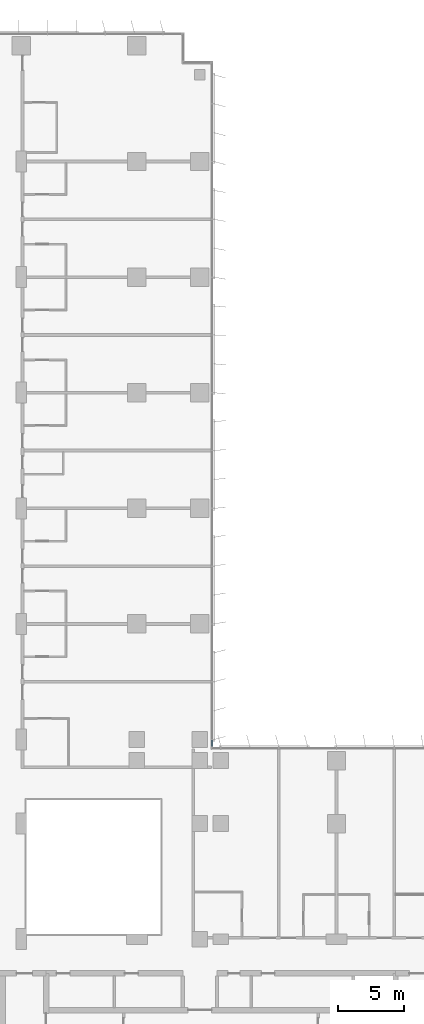
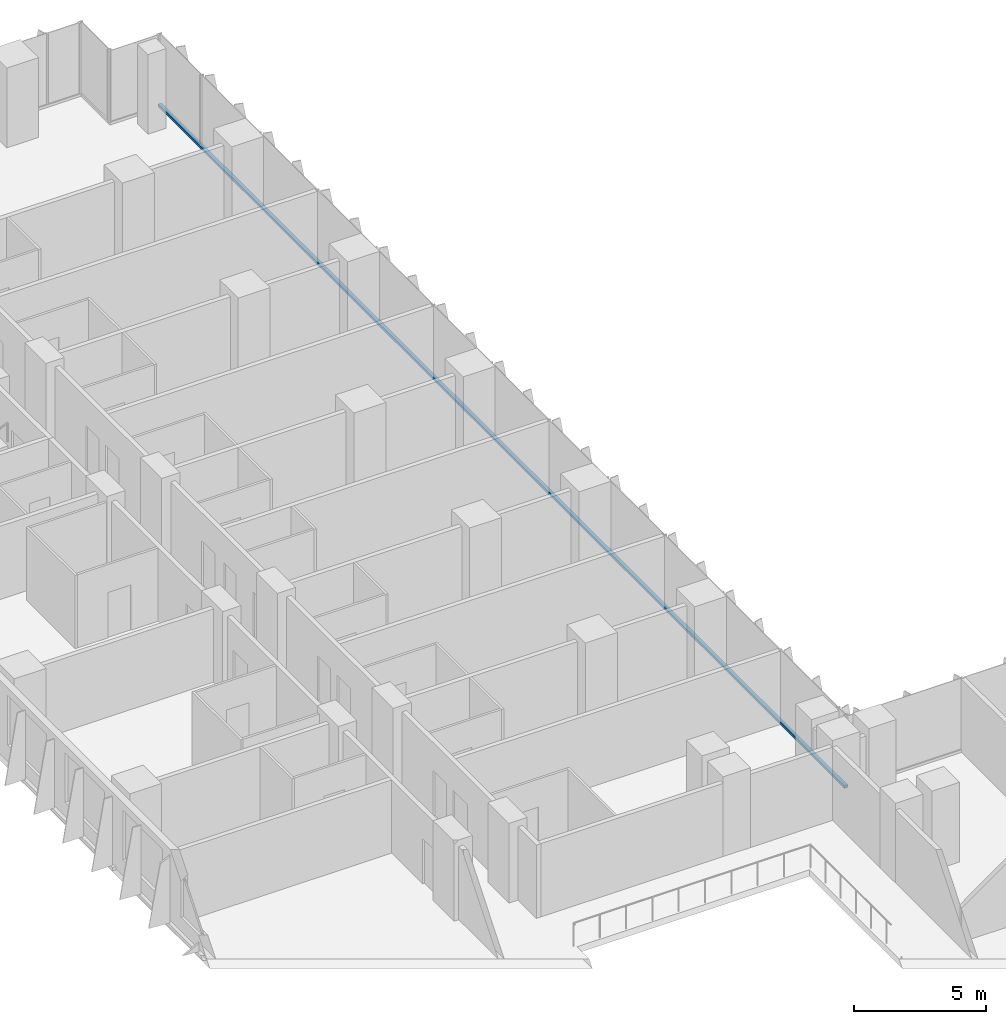
# One storey, part 6 of 24: 1 member, 1 element without a shape of its own.
"""IFC4 building model written with IfcOpenShell, lengths in metres."""

from ifc_helpers import new_model, si_unit, direction, frame, origin, origin_2d, place, context, subcontext, project, spatial, rectangle, extrude, material, material_profile, profile_set, type_object, element, aggregate, save


model = new_model("IFC4")

# Units and contexts
model_context = context("Model", 3, precision=1e-05, world=origin(), true_north=direction((0.0, 1.0)))
body_context = subcontext(model_context, "Body", "Model", "MODEL_VIEW")
ifc_project = project(units=[si_unit("LENGTHUNIT", "METRE"), si_unit("AREAUNIT", "SQUARE_METRE"), si_unit("VOLUMEUNIT", "CUBIC_METRE"), si_unit("PLANEANGLEUNIT", "RADIAN"), si_unit("MASSUNIT", "GRAM", prefix="KILO")], contexts=[model_context])

# Site, building, storey
site_placement = place(None, origin())
site = spatial("IfcSite", under=ifc_project, at=site_placement, CompositionType="ELEMENT")
building_placement = place(site_placement, origin())
building = spatial("IfcBuilding", under=site, at=building_placement, Name="Kemantara Hotel Tower", CompositionType="ELEMENT")
storey_placement = place(building_placement, frame((0.0, 0.0, 56.199951171875)))
storey = spatial("IfcBuildingStorey", under=building, at=storey_placement, Name="L12", CompositionType="ELEMENT", Elevation=56.199951171875)

# Curtain wall, member
ifc_material_1 = material(Name="Low-E tinted double insulated glass 36 mm", Category="glass")
curtain_wall_type = type_object("IfcCurtainWallType", Name="TOWER CURTAIN WALL, FRONT FACES", PredefinedType="USERDEFINED", material=ifc_material_1)
curtain_wall_placement = place(storey_placement, origin())
curtain_wall = element("IfcCurtainWall", 1, at=curtain_wall_placement, inside=storey, type_object=curtain_wall_type, Name="CW4 L12 T1-R08-1", ObjectType="TOWER CURTAIN WALL, FRONT FACES", PredefinedType="USERDEFINED")
ifc_material_2 = material(Name="Aluminium 6063-T6 bronze anodised", Category="aluminium")
ifc_material_profile = material_profile(ifc_material_2, rectangle(XDim=0.14990234375, YDim=0.1201171875, at=origin_2d()), Name="TOWER CURTAIN WALL, FRONT FACES TRANSOM")
ifc_profile_set = profile_set([ifc_material_profile], Name="Aluminium 6063-T6 bronze anodised")
member_type = type_object("IfcMemberType", Name="TOWER CURTAIN WALL, FRONT FACES TRANSOM", PredefinedType="USERDEFINED", material=ifc_profile_set)
member_placement = place(storey_placement, frame((26.72509765625, 26.800048828125, 0.06005859375), z_axis=(0.0, 1.0, 0.0), x_axis=(-1.0, 0.0, 0.0)))
member = element("IfcMember", 2, at=member_placement, type_object=member_type, Name="CW4 sill transom T1-R08-1", ObjectType="TRANSOM", PredefinedType="USERDEFINED", context=body_context, shape_type="SweptSolid", body=[
    extrude(rectangle(XDim=0.14990234375, YDim=0.1201171875, at=origin_2d()), origin(), (0.0, 0.0, 1.0), 52.199951171875),
])
aggregate(curtain_wall, [member])

save(model, "model.ifc")
